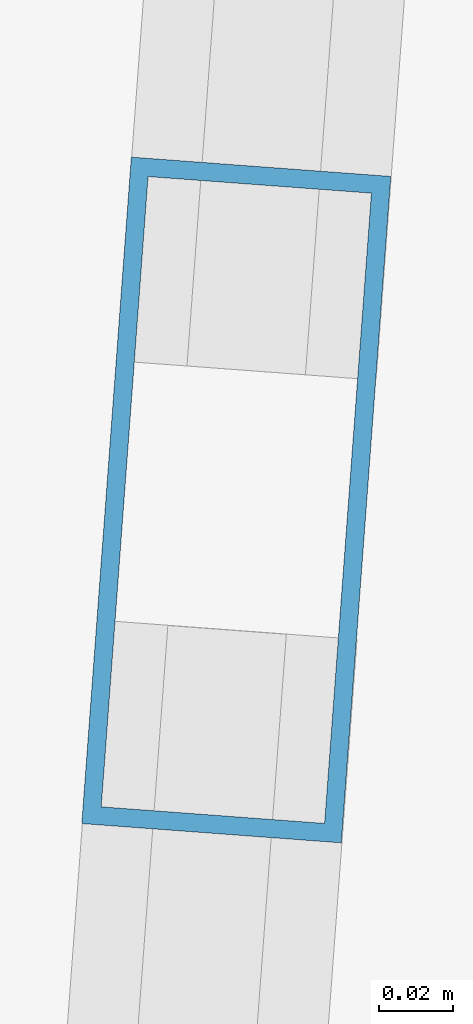
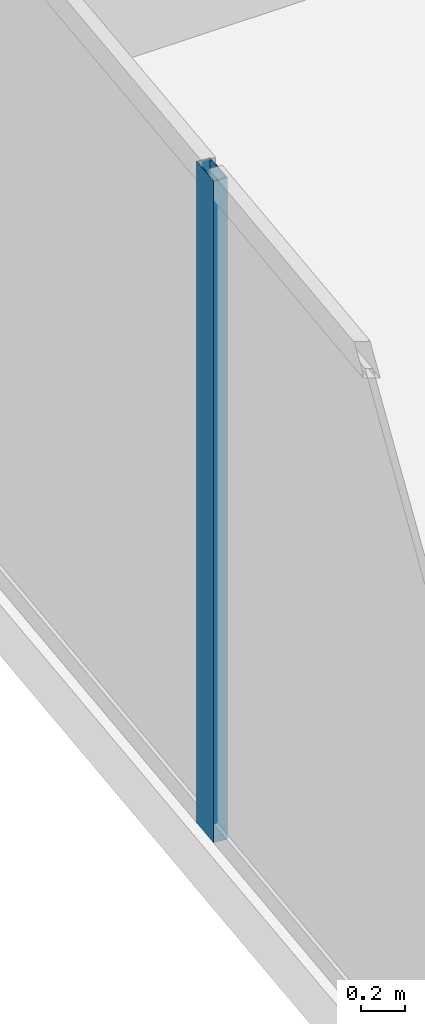
# One storey, part 4 of 30: 1 member, 1 element without a shape of its own.
"""IFC4 building model written with IfcOpenShell, lengths in metres."""

from ifc_helpers import new_model, si_unit, direction, frame, origin, origin_2d, place, context, subcontext, project, spatial, hollow_rectangle, extrude, source, transform, mapped, material, material_profile, profile_set, type_object, type_shapes, element, aggregate, save


model = new_model("IFC4")

# Units and contexts
model_context = context("Model", 3, precision=1e-05, world=origin(), true_north=direction((0.0, 1.0)))
body_context = subcontext(model_context, "Body", "Model", "MODEL_VIEW")
ifc_project = project(units=[si_unit("LENGTHUNIT", "METRE"), si_unit("AREAUNIT", "SQUARE_METRE"), si_unit("VOLUMEUNIT", "CUBIC_METRE"), si_unit("PLANEANGLEUNIT", "RADIAN"), si_unit("MASSUNIT", "GRAM", prefix="KILO")], contexts=[model_context])

# Site, building, storey
site_placement = place(None, origin())
site = spatial("IfcSite", under=ifc_project, at=site_placement, CompositionType="ELEMENT")
building_placement = place(site_placement, origin())
building = spatial("IfcBuilding", under=site, at=building_placement, Name="Krantzveldt Concourse Tower", CompositionType="ELEMENT")
storey_placement = place(building_placement, frame((0.0, 0.0, 48.699951171875)))
storey = spatial("IfcBuildingStorey", under=building, at=storey_placement, Name="L11", CompositionType="ELEMENT", Elevation=48.699951171875)

# Curtain wall, member
ifc_material = material(Name="Anodised aluminium 6063-T6", Category="aluminium")
curtain_wall_type = type_object("IfcCurtainWallType", Name="CW2", PredefinedType="USERDEFINED", material=ifc_material)
curtain_wall_placement = place(storey_placement, origin())
curtain_wall = element("IfcCurtainWall", 1, at=curtain_wall_placement, inside=storey, type_object=curtain_wall_type, Name="CW-L11-F01", ObjectType="UNITISED CURTAIN WALL", PredefinedType="USERDEFINED")
ifc_material_profile = material_profile(ifc_material, hollow_rectangle(XDim=0.070068359375, YDim=0.179931640625, WallThickness=0.0048828125, at=origin_2d()), Name="Anodised aluminium 6063-T6", Category="aluminium")
ifc_profile_set = profile_set([ifc_material_profile], Name="Anodised aluminium 6063-T6 - ALU-MULL 180x70x5")
member_type = type_object("IfcMemberType", Name="CW-MUL-180", PredefinedType="MULLION", material=ifc_profile_set)
shared_shape = source(origin(), body_context, "Body", "SweptSolid", [
    extrude(hollow_rectangle(XDim=0.070068359375, YDim=0.179931640625, WallThickness=0.0048828125, at=origin_2d()), origin(), (0.0, 0.0, 1.0), 3.670166015625),
])
type_shapes(member_type, [shared_shape])
member_placement = place(storey_placement, frame((10.09619140625, 14.252197265625, 0.0), z_axis=(0.0, 0.0, 1.0), x_axis=(0.997250176902, -0.07410860051, 0.0)))
member = element("IfcMember", 2, at=member_placement, type_object=member_type, Name="CW-Z12 mullion 6", PredefinedType="MULLION", context=body_context, shape_type="MappedRepresentation", body=[
    mapped(shared_shape, transform((0.0, 0.0, 0.0), x_axis=(1.0, 0.0, 0.0), y_axis=(0.0, 1.0, 0.0), z_axis=(0.0, 0.0, 1.0), scale=1.0)),
])
aggregate(curtain_wall, [member])

save(model, "model.ifc")
